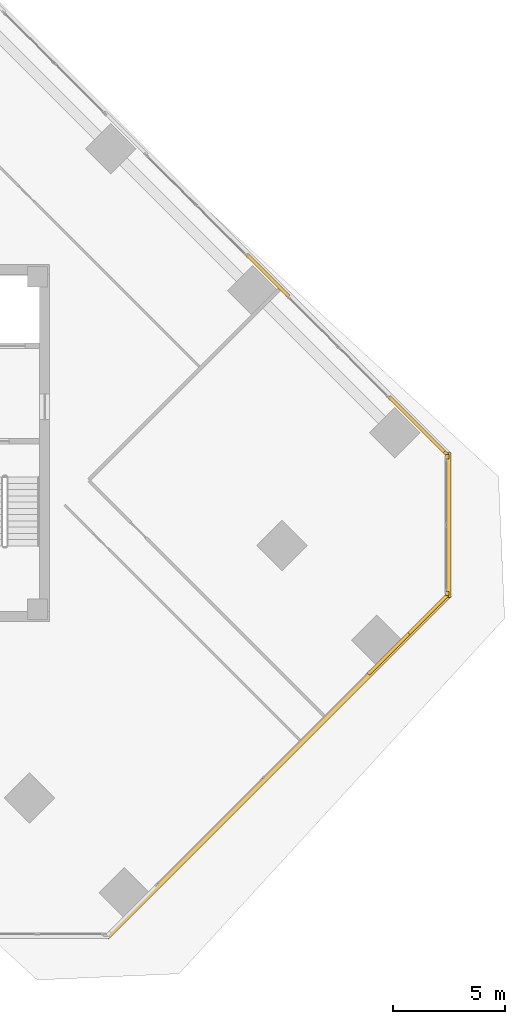
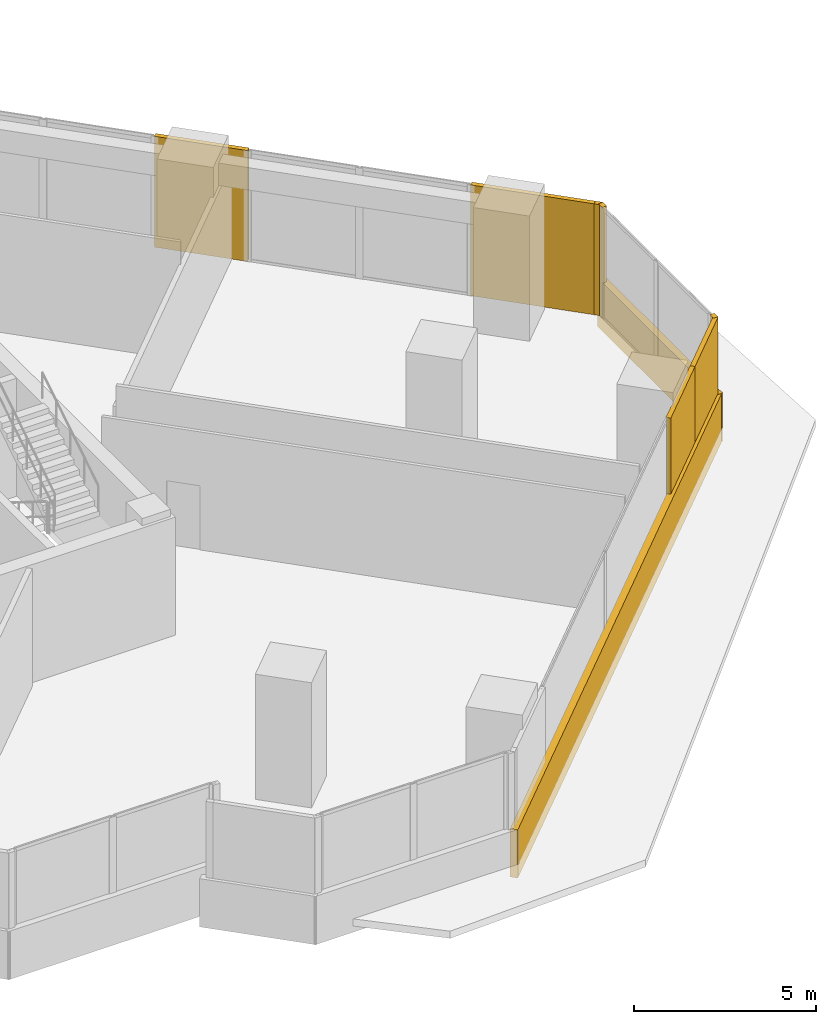
# One storey, part 16 of 17: 9 coverings.
"""IFC4 building model written with IfcOpenShell, lengths in metres."""

from ifc_helpers import new_model, si_unit, direction, frame, origin, origin_2d, place, context, subcontext, project, spatial, rectangle, extrude, source, transform, mapped, material, layer, layer_set, type_object, element, save


model = new_model("IFC4")

# Units and contexts
model_context = context("Model", 3, precision=1e-05, world=origin(), true_north=direction((0.0, 1.0)))
body_context = subcontext(model_context, "Body", "Model", "MODEL_VIEW")
ifc_project = project(units=[si_unit("LENGTHUNIT", "METRE"), si_unit("AREAUNIT", "SQUARE_METRE"), si_unit("VOLUMEUNIT", "CUBIC_METRE"), si_unit("PLANEANGLEUNIT", "RADIAN"), si_unit("MASSUNIT", "GRAM", prefix="KILO")], contexts=[model_context])

# Site, building, storey
site_placement = place(None, origin())
site = spatial("IfcSite", under=ifc_project, at=site_placement, CompositionType="ELEMENT")
building_placement = place(site_placement, origin())
building = spatial("IfcBuilding", under=site, at=building_placement, Name="Torre Montelarca", CompositionType="ELEMENT")
storey_placement = place(building_placement, frame((0.0, 0.0, 241.60009765625)))
storey = spatial("IfcBuildingStorey", under=building, at=storey_placement, Name="L54", CompositionType="ELEMENT", Elevation=241.60009765625)

# Coverings
ifc_material = material(Name="Bush-hammered warm white precast concrete C45/55", Category="concrete")
ifc_layer = layer(ifc_material, 0.139892578125, Name="Bush-hammered warm white precast concrete C45/55", Category="concrete")
ifc_layer_set = layer_set([ifc_layer], Name="Bush-hammered warm white precast concrete C45/55")
covering_type = type_object("IfcCoveringType", Name="COV-TRAY-CLAD", PredefinedType="CLADDING", material=ifc_layer_set)
shared_shape_1 = source(origin(), body_context, "Body", "SweptSolid", [
    extrude(rectangle(XDim=6.48388671875, YDim=0.219970703125, at=origin_2d()), origin(), (0.0, 0.0, 1.0), 1.6201171875),
])
covering_1_placement = place(storey_placement, frame((44.875244140625, 28.322998046875, -0.4501953125), z_axis=(0.0, 0.0, 1.0), x_axis=(0.0, 1.0, 0.0)))
element("IfcCovering", 1, at=covering_1_placement, inside=storey, type_object=covering_type, Name="L54 Architectural White Spandrel Tray Band TRYBOT-07", PredefinedType="CLADDING", context=body_context, shape_type="MappedRepresentation", body=[
    mapped(shared_shape_1, transform((0.0, 0.0, 0.0), scale=1.0)),
])
shared_shape_2 = source(origin(), body_context, "Body", "SweptSolid", [
    extrude(rectangle(XDim=0.199951171875, YDim=0.139892578125, at=origin_2d()), origin(), (0.0, 0.0, 1.0), 3.719970703125),
])
for number, where, z_axis, x_axis, name in (
    (2, (44.815185546875, 25.2568359375, 0.0), (0.0, 0.0, 1.0), (0.0, 1.0, 0.0), "L54 Architectural Column Pier Cladding E07-1"),
    (3, (44.815185546875, 31.38916015625, 0.0), (0.0, 0.0, 1.0), (0.0, 1.0, 0.0), "L54 Architectural Column Pier Cladding E07-2"),
    (4, (44.759521484375, 31.523193359375, 0.0), (0.0, 0.0, 1.0), (-0.707105547051, 0.70710801532, 0.0), "L54 Architectural Column Pier Cladding E08-1"),
):
    element("IfcCovering", number, at=place(storey_placement, frame(where, z_axis=z_axis, x_axis=x_axis)), inside=storey, type_object=covering_type, Name=name, PredefinedType="CLADDING", context=body_context, shape_type="MappedRepresentation", body=[
        mapped(shared_shape_2, transform((0.0, 0.0, 0.0), scale=1.0)),
    ])
shared_shape_3 = source(origin(), body_context, "Body", "SweptSolid", [
    extrude(rectangle(XDim=21.719970703125, YDim=0.219970703125, at=origin_2d()), origin(), (0.0, 0.0, 1.0), 1.6201171875),
])
covering_2_placement = place(storey_placement, frame((37.247314453125, 17.525634765625, -0.4501953125), z_axis=(0.0, 0.0, 1.0), x_axis=(0.707106781187, 0.707106781187, 0.0)))
element("IfcCovering", 5, at=covering_2_placement, inside=storey, type_object=covering_type, Name="L54 Architectural White Spandrel Tray Band TRYBOT-06", PredefinedType="CLADDING", context=body_context, shape_type="MappedRepresentation", body=[
    mapped(shared_shape_3, transform((0.0, 0.0, 0.0), scale=1.0)),
])
shared_shape_4 = source(origin(), body_context, "Body", "SweptSolid", [
    extrude(rectangle(XDim=2.659912109375, YDim=0.139892578125, at=origin_2d()), origin(), (0.0, 0.0, 1.0), 3.719970703125),
])
for number, where, z_axis, x_axis, name in (
    (6, (42.225341796875, 22.58837890625, 0.0), (0.0, 0.0, 1.0), (0.707106781187, 0.707106781187, 0.0), "L54 Architectural Column Pier Cladding E06-3"),
    (7, (36.780517578125, 39.50244140625, 0.0), (0.0, 0.0, 1.0), (-0.707105547051, 0.70710801532, 0.0), "L54 Architectural Column Pier Cladding E08-3"),
):
    element("IfcCovering", number, at=place(storey_placement, frame(where, z_axis=z_axis, x_axis=x_axis)), inside=storey, type_object=covering_type, Name=name, PredefinedType="CLADDING", context=body_context, shape_type="MappedRepresentation", body=[
        mapped(shared_shape_4, transform((0.0, 0.0, 0.0), scale=1.0)),
    ])
shared_shape_5 = source(origin(), body_context, "Body", "SweptSolid", [
    extrude(rectangle(XDim=2.4541015625, YDim=0.139892578125, at=origin_2d()), origin(), (0.0, 0.0, 1.0), 3.719970703125),
])
covering_3_placement = place(storey_placement, frame((43.962646484375, 24.32568359375, 0.0), z_axis=(0.0, 0.0, 1.0), x_axis=(0.707106781187, 0.707106781187, 0.0)))
element("IfcCovering", 8, at=covering_3_placement, inside=storey, type_object=covering_type, Name="L54 Architectural Column Pier Cladding E06-4", PredefinedType="CLADDING", context=body_context, shape_type="MappedRepresentation", body=[
    mapped(shared_shape_5, transform((0.0, 0.0, 0.0), scale=1.0)),
])
shared_shape_6 = source(origin(), body_context, "Body", "SweptSolid", [
    extrude(rectangle(XDim=3.614013671875, YDim=0.139892578125, at=origin_2d()), origin(), (0.0, 0.0, 1.0), 3.719970703125),
])
covering_4_placement = place(storey_placement, frame((43.48193359375, 32.801025390625, 0.0), z_axis=(0.0, 0.0, 1.0), x_axis=(-0.707105547051, 0.70710801532, 0.0)))
element("IfcCovering", 9, at=covering_4_placement, inside=storey, type_object=covering_type, Name="L54 Architectural Column Pier Cladding E08-2", PredefinedType="CLADDING", context=body_context, shape_type="MappedRepresentation", body=[
    mapped(shared_shape_6, transform((0.0, 0.0, 0.0), scale=1.0)),
])

save(model, "model.ifc")
